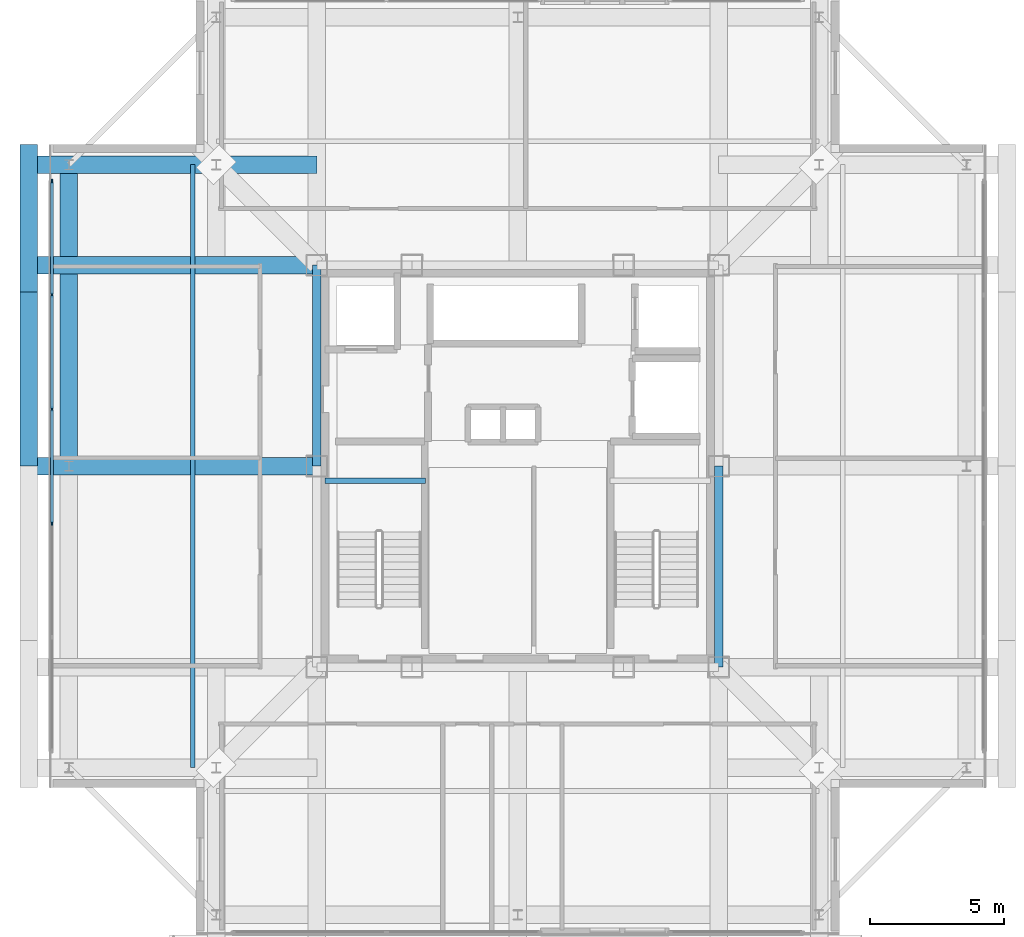
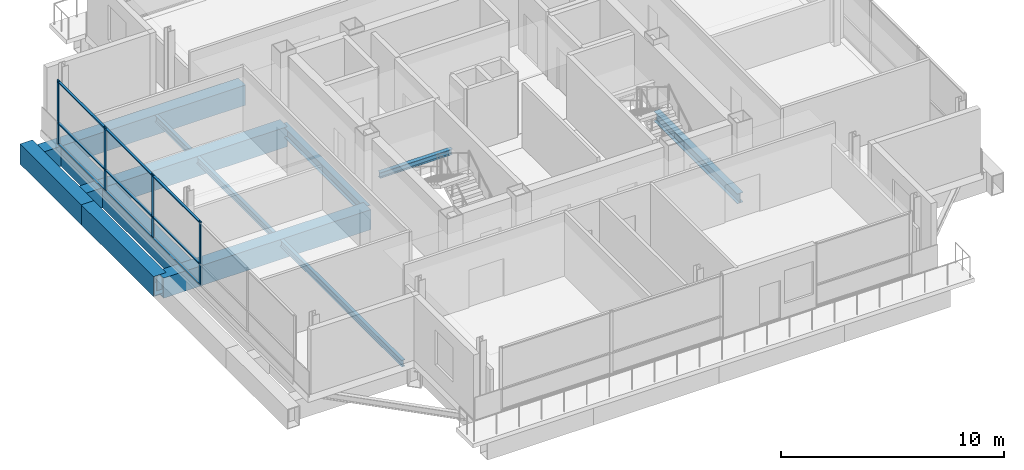
# One storey, part 4 of 15: 13 members, 10 beams, 1 element without a shape of its own.
"""IFC4 building model written with IfcOpenShell, lengths in metres."""

from ifc_helpers import new_model, si_unit, direction, frame, origin, origin_2d, place, context, subcontext, project, spatial, rectangle, hollow_rectangle, i_section, extrude, material, layer, layer_set, material_profile, profile_set, type_object, element, aggregate, save


model = new_model("IFC4")

# Units and contexts
model_context = context("Model", 3, precision=1e-05, world=origin(), true_north=direction((0.0, 1.0)))
body_context = subcontext(model_context, "Body", "Model", "MODEL_VIEW")
ifc_project = project(units=[si_unit("LENGTHUNIT", "METRE"), si_unit("AREAUNIT", "SQUARE_METRE"), si_unit("VOLUMEUNIT", "CUBIC_METRE"), si_unit("PLANEANGLEUNIT", "RADIAN"), si_unit("MASSUNIT", "GRAM", prefix="KILO")], contexts=[model_context])

# Site, building, storey
site_placement = place(None, origin())
site = spatial("IfcSite", under=ifc_project, at=site_placement, CompositionType="ELEMENT")
building_placement = place(site_placement, origin())
building = spatial("IfcBuilding", under=site, at=building_placement, Name="Trevonay Congress Spire", CompositionType="ELEMENT")
storey_placement = place(building_placement, frame((0.0, 0.0, 300.800048828125)))
storey = spatial("IfcBuildingStorey", under=building, at=storey_placement, Name="L79", CompositionType="ELEMENT", Elevation=300.800048828125)

# Beams
ifc_material_1 = material(Name="Steel ASTM A572 Grade 50", Category="steel")
ifc_material_profile_1 = material_profile(ifc_material_1, i_section(OverallWidth=0.31201171875, OverallDepth=0.54296875, WebThickness=0.0126953125, FlangeThickness=0.020263671875, FilletRadius=0.014892578125, at=origin_2d()), Name="W530x150")
ifc_profile_set_1 = profile_set([ifc_material_profile_1], Name="Steel ASTM A572 Grade 50")
beam_type_1 = type_object("IfcBeamType", Name="BM-GIRD-W530X150", PredefinedType="BEAM", material=ifc_profile_set_1)
for number, where, z_axis, x_axis, name in (
    (1, (-7.5, 0.0, -0.671630859375), (0.0, 1.0, 0.0), (-1.0, 0.0, 0.0), "L79 structural beam BM-L79-CR-W2"),
    (2, (7.5, -7.5, -0.671630859375), (0.0, 1.0, 0.0), (-1.0, 0.0, 0.0), "L79 structural beam BM-L79-CR-E1"),
):
    element("IfcBeam", number, at=place(storey_placement, frame(where, z_axis=z_axis, x_axis=x_axis)), inside=storey, type_object=beam_type_1, Name=name, PredefinedType="BEAM", context=body_context, shape_type="SweptSolid", body=[
        extrude(i_section(OverallWidth=0.31201171875, OverallDepth=0.54296875, WebThickness=0.0126953125, FlangeThickness=0.020263671875, FilletRadius=0.014892578125, at=origin_2d()), origin(), (0.0, 0.0, 1.0), 7.5),
    ])
ifc_material_profile_2 = material_profile(ifc_material_1, hollow_rectangle(XDim=0.64990234375, YDim=1.10009765625, WallThickness=0.044921875, at=origin_2d()), Name="BOX 1100x650x45")
ifc_profile_set_2 = profile_set([ifc_material_profile_2], Name="Steel ASTM A572 Grade 50")
beam_type_2 = type_object("IfcBeamType", Name="BM-RING-BOX1100", PredefinedType="BEAM", material=ifc_profile_set_2)
beam_1_placement = place(storey_placement, frame((-16.75, 0.0, -0.949951171875), z_axis=(0.0, 1.0, 0.0), x_axis=(-1.0, 0.0, 0.0)))
element("IfcBeam", 3, at=beam_1_placement, inside=storey, type_object=beam_type_2, Name="L79 structural beam BM-L79-PW2", PredefinedType="BEAM", context=body_context, shape_type="SweptSolid", body=[
    extrude(hollow_rectangle(XDim=0.64990234375, YDim=1.10009765625, WallThickness=0.044921875, at=origin_2d()), origin(), (0.0, 0.0, 1.0), 11.25),
])
beam_2_placement = place(storey_placement, frame((-18.25, 0.0, -0.949951171875), z_axis=(0.0, 1.0, 0.0), x_axis=(-1.0, 0.0, 0.0)))
element("IfcBeam", 4, at=beam_2_placement, inside=storey, type_object=beam_type_2, Name="L79 structural beam XOUT-L79-W2", PredefinedType="BEAM", context=body_context, shape_type="SweptSolid", body=[
    extrude(hollow_rectangle(XDim=0.64990234375, YDim=1.10009765625, WallThickness=0.044921875, at=origin_2d()), origin(), (0.0, 0.0, 1.0), 6.5),
])
beam_3_placement = place(storey_placement, frame((-18.25, 6.5, -0.949951171875), z_axis=(0.0, 1.0, 0.0), x_axis=(-1.0, 0.0, 0.0)))
element("IfcBeam", 5, at=beam_3_placement, inside=storey, type_object=beam_type_2, Name="L79 structural beam XOUT-L79-W3", PredefinedType="BEAM", context=body_context, shape_type="SweptSolid", body=[
    extrude(hollow_rectangle(XDim=0.64990234375, YDim=1.10009765625, WallThickness=0.044921875, at=origin_2d()), origin(), (0.0, 0.0, 1.0), 5.5),
])
ifc_material_profile_3 = material_profile(ifc_material_1, hollow_rectangle(XDim=0.64990234375, YDim=1.10009765625, WallThickness=0.044921875, at=origin_2d()), Name="BOX 1100x650x45")
ifc_profile_set_3 = profile_set([ifc_material_profile_3], Name="Steel ASTM A572 Grade 50")
beam_type_3 = type_object("IfcBeamType", Name="BM-XFER-BOX1100", PredefinedType="BEAM", material=ifc_profile_set_3)
for number, where, z_axis, x_axis, name in (
    (6, (-7.5, 7.5, -0.949951171875), (-1.0, 0.0, 0.0), (0.0, -1.0, 0.0), "L79 structural beam XSPN-L79-CX-NW"),
    (7, (-7.5, 0.0, -0.949951171875), (-1.0, 0.0, 0.0), (0.0, -1.0, 0.0), "L79 structural beam XFER-L79-W1"),
    (8, (-7.5, 11.25, -0.949951171875), (-1.0, 0.0, 0.0), (0.0, -1.0, 0.0), "L79 structural beam XFER-L79-W2"),
):
    element("IfcBeam", number, at=place(storey_placement, frame(where, z_axis=z_axis, x_axis=x_axis)), inside=storey, type_object=beam_type_3, Name=name, PredefinedType="BEAM", context=body_context, shape_type="SweptSolid", body=[
        extrude(hollow_rectangle(XDim=0.64990234375, YDim=1.10009765625, WallThickness=0.044921875, at=origin_2d()), origin(), (0.0, 0.0, 1.0), 10.75),
    ])

# Curtain wall, members
ifc_material_2 = material(Name="Pale Anodised Aluminium EN AW-6063-T6", Category="aluminium")
ifc_layer = layer(ifc_material_2, 0.159912109375, Name="Pale Anodised Aluminium EN AW-6063-T6")
ifc_layer_set = layer_set([ifc_layer], Name="Pale Anodised Aluminium EN AW-6063-T6")
curtain_wall_type = type_object("IfcCurtainWallType", Name="CW-SYS06-CROWN-PALE-METAL", PredefinedType="NOTDEFINED", material=ifc_layer_set)
curtain_wall_placement = place(storey_placement, origin())
curtain_wall = element("IfcCurtainWall", 9, at=curtain_wall_placement, inside=storey, type_object=curtain_wall_type, Name="L79 W unitised curtain wall", PredefinedType="NOTDEFINED")
ifc_material_profile_4 = material_profile(ifc_material_2, rectangle(XDim=0.06005859375, YDim=0.159912109375, at=origin_2d()), Name="CW-MULLION-160-ALUMINIUM")
ifc_profile_set_4 = profile_set([ifc_material_profile_4], Name="Pale Anodised Aluminium EN AW-6063-T6")
member_type_1 = type_object("IfcMemberType", Name="CW-MULLION-160-ALUMINIUM", PredefinedType="MULLION", material=ifc_profile_set_4)
member_1_placement = place(storey_placement, frame((-17.3798828125, -2.1298828125, 0.0), z_axis=(0.0, 0.0, 1.0), x_axis=(-1.0, 0.0, 0.0)))
member_1 = element("IfcMember", 10, at=member_1_placement, type_object=member_type_1, Name="CW06 mullion 3", PredefinedType="MULLION", context=body_context, shape_type="SweptSolid", body=[
    extrude(rectangle(XDim=0.06005859375, YDim=0.159912109375, at=origin_2d()), origin(), (0.0, 0.0, 1.0), 3.52001953125),
])
member_2_placement = place(storey_placement, frame((-17.3798828125, 2.1298828125, 0.0), z_axis=(0.0, 0.0, 1.0), x_axis=(-1.0, 0.0, 0.0)))
member_2 = element("IfcMember", 11, at=member_2_placement, type_object=member_type_1, Name="CW06 mullion 4", PredefinedType="MULLION", context=body_context, shape_type="SweptSolid", body=[
    extrude(rectangle(XDim=0.06005859375, YDim=0.159912109375, at=origin_2d()), origin(), (0.0, 0.0, 1.0), 3.52001953125),
])
member_3_placement = place(storey_placement, frame((-17.3798828125, 6.389892578125, 0.0), z_axis=(0.0, 0.0, 1.0), x_axis=(-1.0, 0.0, 0.0)))
member_3 = element("IfcMember", 12, at=member_3_placement, type_object=member_type_1, Name="CW06 mullion 5", PredefinedType="MULLION", context=body_context, shape_type="SweptSolid", body=[
    extrude(rectangle(XDim=0.06005859375, YDim=0.159912109375, at=origin_2d()), origin(), (0.0, 0.0, 1.0), 3.52001953125),
])
member_4_placement = place(storey_placement, frame((-17.3798828125, 10.6201171875, 0.0), z_axis=(0.0, 0.0, 1.0), x_axis=(-1.0, 0.0, 0.0)))
member_4 = element("IfcMember", 13, at=member_4_placement, type_object=member_type_1, Name="CW06 mullion 6", PredefinedType="MULLION", context=body_context, shape_type="SweptSolid", body=[
    extrude(rectangle(XDim=0.06005859375, YDim=0.159912109375, at=origin_2d()), origin(), (0.0, 0.0, 1.0), 3.52001953125),
])
ifc_material_profile_5 = material_profile(ifc_material_2, rectangle(XDim=0.1201171875, YDim=0.06005859375, at=origin_2d()), Name="CW-TRANSOM-120-ALUMINIUM")
ifc_profile_set_5 = profile_set([ifc_material_profile_5], Name="Pale Anodised Aluminium EN AW-6063-T6")
member_type_2 = type_object("IfcMemberType", Name="CW-TRANSOM-120-ALUMINIUM", PredefinedType="USERDEFINED", material=ifc_profile_set_5)
member_5_placement = place(storey_placement, frame((-17.3798828125, -2.10009765625, 0.06005859375), z_axis=(0.0, 1.0, 0.0), x_axis=(-1.0, 0.0, 0.0)))
member_5 = element("IfcMember", 14, at=member_5_placement, type_object=member_type_2, Name="CW06 transom 3.1", ObjectType="TRANSOM", PredefinedType="USERDEFINED", context=body_context, shape_type="SweptSolid", body=[
    extrude(rectangle(XDim=0.1201171875, YDim=0.06005859375, at=origin_2d()), origin(), (0.0, 0.0, 1.0), 4.2001953125),
])
member_6_placement = place(storey_placement, frame((-17.3798828125, -2.10009765625, 1.19677734375), z_axis=(0.0, 1.0, 0.0), x_axis=(-1.0, 0.0, 0.0)))
member_6 = element("IfcMember", 15, at=member_6_placement, type_object=member_type_2, Name="CW06 transom 3.2", ObjectType="TRANSOM", PredefinedType="USERDEFINED", context=body_context, shape_type="SweptSolid", body=[
    extrude(rectangle(XDim=0.1201171875, YDim=0.06005859375, at=origin_2d()), origin(), (0.0, 0.0, 1.0), 4.2001953125),
])
member_7_placement = place(storey_placement, frame((-17.3798828125, -2.10009765625, 3.4599609375), z_axis=(0.0, 1.0, 0.0), x_axis=(-1.0, 0.0, 0.0)))
member_7 = element("IfcMember", 16, at=member_7_placement, type_object=member_type_2, Name="CW06 transom 3.3", ObjectType="TRANSOM", PredefinedType="USERDEFINED", context=body_context, shape_type="SweptSolid", body=[
    extrude(rectangle(XDim=0.1201171875, YDim=0.06005859375, at=origin_2d()), origin(), (0.0, 0.0, 1.0), 4.2001953125),
])
member_8_placement = place(storey_placement, frame((-17.3798828125, 2.159912109375, 0.06005859375), z_axis=(0.0, 1.0, 0.0), x_axis=(-1.0, 0.0, 0.0)))
member_8 = element("IfcMember", 17, at=member_8_placement, type_object=member_type_2, Name="CW06 transom 4.1", ObjectType="TRANSOM", PredefinedType="USERDEFINED", context=body_context, shape_type="SweptSolid", body=[
    extrude(rectangle(XDim=0.1201171875, YDim=0.06005859375, at=origin_2d()), origin(), (0.0, 0.0, 1.0), 4.2001953125),
])
member_9_placement = place(storey_placement, frame((-17.3798828125, 2.159912109375, 1.19677734375), z_axis=(0.0, 1.0, 0.0), x_axis=(-1.0, 0.0, 0.0)))
member_9 = element("IfcMember", 18, at=member_9_placement, type_object=member_type_2, Name="CW06 transom 4.2", ObjectType="TRANSOM", PredefinedType="USERDEFINED", context=body_context, shape_type="SweptSolid", body=[
    extrude(rectangle(XDim=0.1201171875, YDim=0.06005859375, at=origin_2d()), origin(), (0.0, 0.0, 1.0), 4.2001953125),
])
member_10_placement = place(storey_placement, frame((-17.3798828125, 2.159912109375, 3.4599609375), z_axis=(0.0, 1.0, 0.0), x_axis=(-1.0, 0.0, 0.0)))
member_10 = element("IfcMember", 19, at=member_10_placement, type_object=member_type_2, Name="CW06 transom 4.3", ObjectType="TRANSOM", PredefinedType="USERDEFINED", context=body_context, shape_type="SweptSolid", body=[
    extrude(rectangle(XDim=0.1201171875, YDim=0.06005859375, at=origin_2d()), origin(), (0.0, 0.0, 1.0), 4.2001953125),
])
member_11_placement = place(storey_placement, frame((-17.3798828125, 6.419921875, 0.06005859375), z_axis=(0.0, 1.0, 0.0), x_axis=(-1.0, 0.0, 0.0)))
member_11 = element("IfcMember", 20, at=member_11_placement, type_object=member_type_2, Name="CW06 transom 5.1", ObjectType="TRANSOM", PredefinedType="USERDEFINED", context=body_context, shape_type="SweptSolid", body=[
    extrude(rectangle(XDim=0.1201171875, YDim=0.06005859375, at=origin_2d()), origin(), (0.0, 0.0, 1.0), 4.170166015625),
])
member_12_placement = place(storey_placement, frame((-17.3798828125, 6.419921875, 1.19677734375), z_axis=(0.0, 1.0, 0.0), x_axis=(-1.0, 0.0, 0.0)))
member_12 = element("IfcMember", 21, at=member_12_placement, type_object=member_type_2, Name="CW06 transom 5.2", ObjectType="TRANSOM", PredefinedType="USERDEFINED", context=body_context, shape_type="SweptSolid", body=[
    extrude(rectangle(XDim=0.1201171875, YDim=0.06005859375, at=origin_2d()), origin(), (0.0, 0.0, 1.0), 4.170166015625),
])
member_13_placement = place(storey_placement, frame((-17.3798828125, 6.419921875, 3.4599609375), z_axis=(0.0, 1.0, 0.0), x_axis=(-1.0, 0.0, 0.0)))
member_13 = element("IfcMember", 22, at=member_13_placement, type_object=member_type_2, Name="CW06 transom 5.3", ObjectType="TRANSOM", PredefinedType="USERDEFINED", context=body_context, shape_type="SweptSolid", body=[
    extrude(rectangle(XDim=0.1201171875, YDim=0.06005859375, at=origin_2d()), origin(), (0.0, 0.0, 1.0), 4.170166015625),
])
aggregate(curtain_wall, [member_1, member_2, member_3, member_4, member_5, member_6, member_7, member_8, member_9, member_10, member_11, member_12, member_13])

# Beams
ifc_material_profile_6 = material_profile(ifc_material_1, i_section(OverallWidth=0.172119140625, OverallDepth=0.35791015625, WebThickness=0.0078125, FlangeThickness=0.01318359375, FilletRadius=0.011962890625, at=origin_2d()), Name="W360x57.8")
ifc_profile_set_6 = profile_set([ifc_material_profile_6], Name="Steel ASTM A572 Grade 50")
beam_type_4 = type_object("IfcBeamType", Name="JS-COMP-W360X57", PredefinedType="JOIST", material=ifc_profile_set_6)
beam_4_placement = place(storey_placement, frame((-12.125, -11.25, -0.5791015625), z_axis=(0.0, 1.0, 0.0), x_axis=(-1.0, 0.0, 0.0)))
element("IfcBeam", 23, at=beam_4_placement, inside=storey, type_object=beam_type_4, Name="L79 structural beam JS-L79-RING-W", PredefinedType="JOIST", context=body_context, shape_type="SweptSolid", body=[
    extrude(i_section(OverallWidth=0.172119140625, OverallDepth=0.35791015625, WebThickness=0.0078125, FlangeThickness=0.01318359375, FilletRadius=0.011962890625, at=origin_2d()), origin(), (0.0, 0.0, 1.0), 22.5),
])
ifc_material_profile_7 = material_profile(ifc_material_1, i_section(OverallWidth=0.2041015625, OverallDepth=0.305908203125, WebThickness=0.008544921875, FlangeThickness=0.0146484375, FilletRadius=0.010986328125, at=origin_2d()), Name="W310x67")
ifc_profile_set_7 = profile_set([ifc_material_profile_7], Name="Steel ASTM A572 Grade 50")
beam_type_5 = type_object("IfcBeamType", Name="LN-CORE-W310X67", PredefinedType="LINTEL", material=ifc_profile_set_7)
beam_5_placement = place(storey_placement, frame((-7.199951171875, -0.550048828125, 1.546875), z_axis=(1.0, 0.0, 0.0), x_axis=(0.0, 1.0, 0.0)))
element("IfcBeam", 24, at=beam_5_placement, inside=storey, type_object=beam_type_5, Name="L79 structural beam BM-L79-HL-ST1", PredefinedType="LINTEL", context=body_context, shape_type="SweptSolid", body=[
    extrude(i_section(OverallWidth=0.2041015625, OverallDepth=0.305908203125, WebThickness=0.008544921875, FlangeThickness=0.0146484375, FilletRadius=0.010986328125, at=origin_2d()), origin(), (0.0, 0.0, 1.0), 3.75),
])

save(model, "model.ifc")
